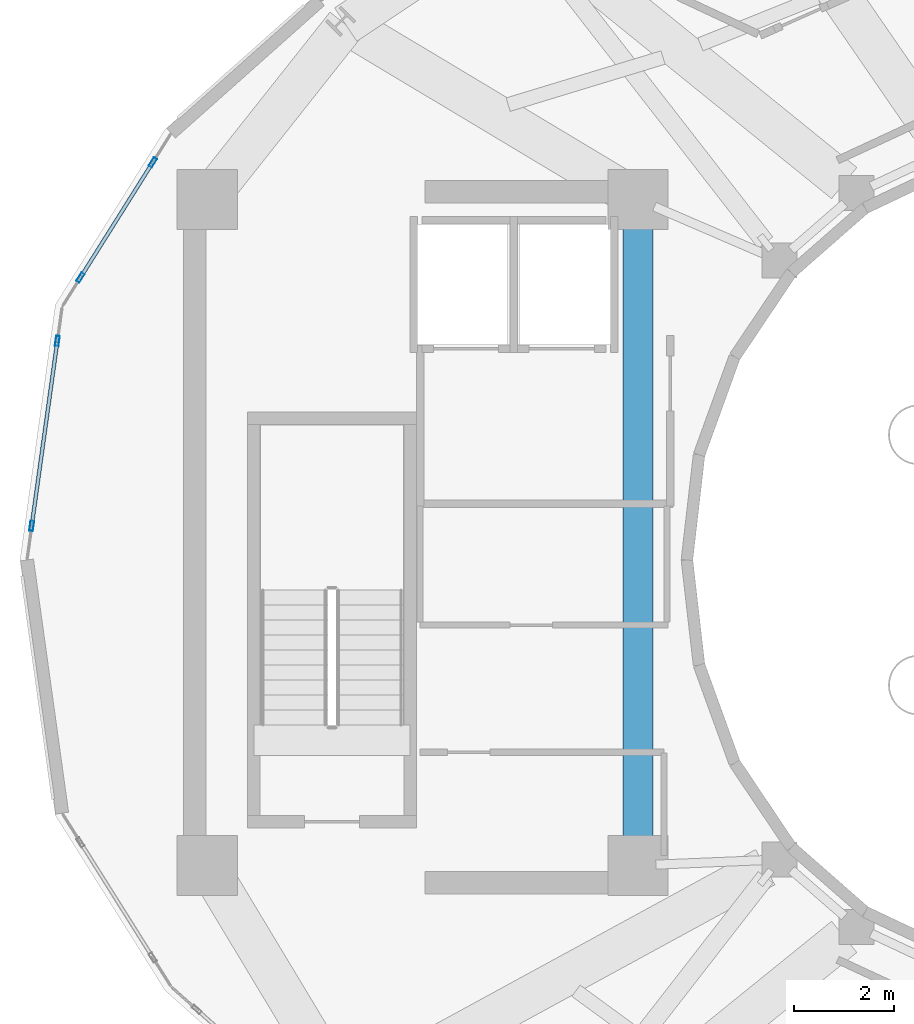
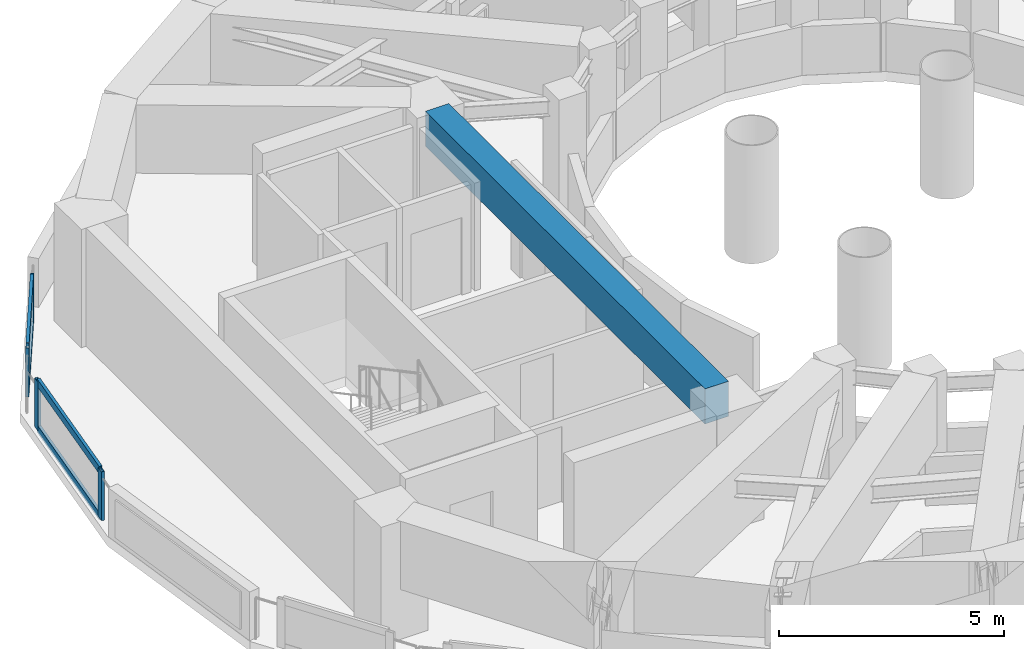
# One storey, part 6 of 17: 8 members, 1 beam, 2 elements without a shape of their own.
"""IFC4 building model written with IfcOpenShell, lengths in metres."""

import ifcopenshell
import ifcopenshell.guid

model = None  # the IFC model being written
_history = None  # IfcOwnerHistory: only IFC2X3 demands one
_inside = {}  # id of a spatial element -> (the spatial element, [elements in it])
_under = {}  # id of a project, library or spatial element -> (it, [spatial elements below it])
_declared = {}  # id of a project -> (the project, [libraries it declares])
_typed = {}  # id of a type object -> (the type object, [elements of that type])
_made_of = {}  # id of a material, layer set ... -> (it, [elements and type objects made of it])


def new_model(schema):
    """Start an empty IFC model of exactly this schema.

    Asked for "IFC4X3", IfcOpenShell would pick the latest addendum, in which some entities
    have other attributes; the version numbers below select the first issue.
    IFC2X3 requires an IfcOwnerHistory on every rooted entity: one is made here for all.
    """
    global model, _history
    if schema == "IFC4X3":
        model = ifcopenshell.file(schema_version=(4, 3, 0, 0))
    else:
        model = ifcopenshell.file(schema=schema)
    _inside.clear()
    _under.clear()
    _declared.clear()
    _typed.clear()
    _made_of.clear()
    _history = None
    if model.schema == "IFC2X3":
        org = make("IfcOrganization", Name="unknown")
        user = make(
            "IfcPersonAndOrganization",
            ThePerson=make("IfcPerson", FamilyName="unknown"),
            TheOrganization=org,
        )
        app = make(
            "IfcApplication",
            ApplicationDeveloper=org,
            Version="unknown",
            ApplicationFullName="unknown",
            ApplicationIdentifier="unknown",
        )
        _history = make(
            "IfcOwnerHistory",
            OwningUser=user,
            OwningApplication=app,
            ChangeAction="ADDED",
            CreationDate=0,
        )
    return model


def make(cls, **values):
    """One entity of the class cls with the attributes given. An attribute that is None is left unset."""
    return model.create_entity(
        cls, **{name: value for name, value in values.items() if value is not None}
    )


def rooted(cls, **values):
    """An entity with a GlobalId (a new one), such as an element, a storey or a relation."""
    return make(cls, GlobalId=ifcopenshell.guid.new(), OwnerHistory=_history, **values)


def si_unit(unit_type, name, prefix=None):
    """IfcSIUnit, for example si_unit("LENGTHUNIT", "METRE", prefix="MILLI")."""
    return make("IfcSIUnit", UnitType=unit_type, Prefix=prefix, Name=name)


def assignment(units):
    """IfcUnitAssignment: the units of a project."""
    return None if units is None else make("IfcUnitAssignment", Units=units)


def point(xyz):
    """IfcCartesianPoint."""
    return None if xyz is None else make("IfcCartesianPoint", Coordinates=xyz)


def direction(xyz):
    """IfcDirection."""
    return None if xyz is None else make("IfcDirection", DirectionRatios=xyz)


def frame(location, z_axis=None, x_axis=None):
    """IfcAxis2Placement3D, a coordinate frame: its origin and axes. An axis left out is left unset."""
    return make(
        "IfcAxis2Placement3D",
        Location=point(location),
        Axis=direction(z_axis),
        RefDirection=direction(x_axis),
    )


def frame_2d(location, x_axis=None):
    """IfcAxis2Placement2D, a coordinate frame in the plane: its origin and x axis."""
    return make(
        "IfcAxis2Placement2D", Location=point(location), RefDirection=direction(x_axis)
    )


def origin():
    """The frame at (0, 0, 0) with its axes left unset."""
    return frame((0.0, 0.0, 0.0))


def origin_2d():
    """The frame at (0, 0) in the plane with its x axis left unset."""
    return frame_2d((0.0, 0.0))


def place(relative_to, where):
    """IfcLocalPlacement: puts the frame where relative to a parent placement (None: the world)."""
    return make(
        "IfcLocalPlacement", PlacementRelTo=relative_to, RelativePlacement=where
    )


def context(
    kind, dimensions, precision=None, world=None, true_north=None, identifier=None
):
    """IfcGeometricRepresentationContext, for example the 3D "Model" context."""
    return make(
        "IfcGeometricRepresentationContext",
        ContextIdentifier=identifier,
        ContextType=kind,
        CoordinateSpaceDimension=dimensions,
        Precision=precision,
        WorldCoordinateSystem=world,
        TrueNorth=true_north,
    )


def subcontext(parent, identifier, kind, view, scale=None):
    """IfcGeometricRepresentationSubContext, for example "Body" below "Model"."""
    return make(
        "IfcGeometricRepresentationSubContext",
        ContextIdentifier=identifier,
        ContextType=kind,
        ParentContext=parent,
        TargetScale=scale,
        TargetView=view,
    )


def project(units=None, contexts=None):
    """IfcProject with its units and contexts."""
    return rooted(
        "IfcProject",
        Name="project",
        RepresentationContexts=contexts,
        UnitsInContext=assignment(units),
    )


def spatial(cls, under=None, at=None, **own):
    """A site, building, storey or space (cls), placed at a placement, below another one or the project."""
    s = rooted(cls, ObjectPlacement=at, **own)
    if under is not None:
        _under.setdefault(under.id(), (under, []))[1].append(s)
    return s


def profile(cls, at=None, kind="AREA", **sizes):
    """A parametric profile (cls). Its sizes go by their IFC names, for example OverallWidth=200.0."""
    return make(cls, ProfileType=kind, Position=at, **sizes)


def rectangle(**sizes):
    """IfcRectangleProfileDef."""
    return profile("IfcRectangleProfileDef", **sizes)


def hollow_rectangle(**sizes):
    """IfcRectangleHollowProfileDef."""
    return profile("IfcRectangleHollowProfileDef", **sizes)


def extrude(swept, where, along, depth):
    """IfcExtrudedAreaSolid: the profile swept, set in the frame where, extruded along a direction by depth."""
    return make(
        "IfcExtrudedAreaSolid",
        SweptArea=swept,
        Position=where,
        ExtrudedDirection=direction(along),
        Depth=depth,
    )


def shape(context_of_items, identifier, shape_type, items):
    """IfcShapeRepresentation: the items that make up one representation, for example the "Body"."""
    return make(
        "IfcShapeRepresentation",
        ContextOfItems=context_of_items,
        RepresentationIdentifier=identifier,
        RepresentationType=shape_type,
        Items=items,
    )


def material(Name=None, Category=None):
    """IfcMaterial."""
    return make("IfcMaterial", Name=Name, Category=Category)


def layer(
    of_material, thickness, ventilated=None, Name=None, Category=None, Priority=None
):
    """IfcMaterialLayer: one layer of a wall or slab, of a material (None: an air gap)."""
    return make(
        "IfcMaterialLayer",
        Material=of_material,
        LayerThickness=thickness,
        IsVentilated=ventilated,
        Name=Name,
        Category=Category,
        Priority=Priority,
    )


def layer_set(layers, Name=None):
    """IfcMaterialLayerSet."""
    return make("IfcMaterialLayerSet", MaterialLayers=layers, LayerSetName=Name)


def material_profile(
    of_material, cross_section, Name=None, Category=None, Priority=None
):
    """IfcMaterialProfile: a cross section and its material."""
    return make(
        "IfcMaterialProfile",
        Name=Name,
        Material=of_material,
        Profile=cross_section,
        Priority=Priority,
        Category=Category,
    )


def profile_set(profiles, Name=None, composite=None):
    """IfcMaterialProfileSet."""
    return make(
        "IfcMaterialProfileSet",
        Name=Name,
        MaterialProfiles=profiles,
        CompositeProfile=composite,
    )


def made_of(thing, what):
    """Note that an element or type object is made of a material, layer set ...; save() writes the relation."""
    if what is not None:
        _made_of.setdefault(what.id(), (what, []))[1].append(thing)
    return thing


def type_object(cls, material=None, **own):
    """A type object (cls), such as IfcWallType, which elements share."""
    return made_of(rooted(cls, **own), material)


def element(
    cls,
    number,
    at=None,
    inside=None,
    cuts=None,
    type_object=None,
    material=None,
    context=None,
    identifier="Body",
    shape_type=None,
    held_by="IfcProductDefinitionShape",
    body=None,
    shapes=None,
    **own,
):
    """One element of the class cls, such as IfcWall. Its Tag is "e" and its number.

    at: its placement. inside: the storey or other place that contains it. cuts: it is an
    opening in that element (IfcRelVoidsElement). A single representation is given by context,
    identifier, shape_type and body (its items); several are given by shapes. held_by: the class
    of the entity that holds the representations. save() writes the other relations.
    """
    e = rooted(cls, Tag="e%d" % number, ObjectPlacement=at, **own)
    if body is not None:
        shapes = [shape(context, identifier, shape_type, body)]
    if shapes is not None:
        e.Representation = make(held_by, Representations=shapes)
    if inside is not None:
        _inside.setdefault(inside.id(), (inside, []))[1].append(e)
    if cuts is not None:
        rooted(
            "IfcRelVoidsElement", RelatingBuildingElement=cuts, RelatedOpeningElement=e
        )
    if type_object is not None:
        _typed.setdefault(type_object.id(), (type_object, []))[1].append(e)
    return made_of(e, material)


def aggregate(whole, parts):
    """IfcRelAggregates: a whole, such as a stair, and the parts it consists of."""
    return rooted("IfcRelAggregates", RelatingObject=whole, RelatedObjects=parts)


def save(model, path):
    """Write the relations noted so far, then the file.

    IfcRelAggregates (storeys below a building ...), IfcRelContainedInSpatialStructure (elements
    in a storey), IfcRelDefinesByType, IfcRelAssociatesMaterial and IfcRelDeclares: one each for
    every whole, place, type object, material and project.
    """
    for whole, parts in _under.values():
        aggregate(whole, parts)
    for where, things in _inside.values():
        rooted(
            "IfcRelContainedInSpatialStructure",
            RelatedElements=things,
            RelatingStructure=where,
        )
    for kind, things in _typed.values():
        rooted("IfcRelDefinesByType", RelatedObjects=things, RelatingType=kind)
    for what, things in _made_of.values():
        rooted("IfcRelAssociatesMaterial", RelatedObjects=things, RelatingMaterial=what)
    for by, libraries in _declared.values():
        rooted("IfcRelDeclares", RelatingContext=by, RelatedDefinitions=libraries)
    model.write(path)


model = new_model("IFC4")

# Units and contexts
model_context = context("Model", 3, precision=1e-05, world=origin(), true_north=direction((0.0, 1.0)))
body_context = subcontext(model_context, "Body", "Model", "MODEL_VIEW")
ifc_project = project(units=[si_unit("LENGTHUNIT", "METRE"), si_unit("AREAUNIT", "SQUARE_METRE"), si_unit("VOLUMEUNIT", "CUBIC_METRE"), si_unit("PLANEANGLEUNIT", "RADIAN"), si_unit("MASSUNIT", "GRAM", prefix="KILO")], contexts=[model_context])

# Site, building, storey
site_placement = place(None, origin())
site = spatial("IfcSite", under=ifc_project, at=site_placement, CompositionType="ELEMENT")
building_placement = place(site_placement, origin())
building = spatial("IfcBuilding", under=site, at=building_placement, Name="Solvane Sanctuary Tower", CompositionType="ELEMENT")
storey_placement = place(building_placement, frame((0.0, 0.0, 273.199951171875)))
storey = spatial("IfcBuildingStorey", under=building, at=storey_placement, Name="L83", CompositionType="ELEMENT", Elevation=273.199951171875)

# Beam
ifc_material_1 = material(Name="Concrete C70/85", Category="concrete")
ifc_material_profile_1 = material_profile(ifc_material_1, rectangle(XDim=0.60009765625, YDim=0.949951171875, at=origin_2d()), Name="RC600X950")
ifc_profile_set_1 = profile_set([ifc_material_profile_1], Name="Concrete C70/85")
beam_type = type_object("IfcBeamType", Name="Beam B-COUPLE RC600X950", PredefinedType="LINTEL", material=ifc_profile_set_1)
beam_placement = place(storey_placement, frame((23.89990234375, 17.35009765625, 2.72509765625), z_axis=(0.0, 1.0, 0.0), x_axis=(-1.0, 0.0, 0.0)))
element("IfcBeam", 1, at=beam_placement, inside=storey, type_object=beam_type, Name="L83 West Core Coupling Lintel", PredefinedType="LINTEL", context=body_context, shape_type="SweptSolid", body=[
    extrude(rectangle(XDim=0.60009765625, YDim=0.949951171875, at=origin_2d()), origin(), (0.0, 0.0, 1.0), 12.39990234375),
])

# Curtain wall, members
ifc_material_2 = material(Name="Anodised Aluminium 6063-T6", Category="aluminium")
ifc_layer = layer(ifc_material_2, 0.219970703125, Name="Anodised Aluminium 6063-T6")
ifc_layer_set = layer_set([ifc_layer], Name="Anodised Aluminium 6063-T6")
curtain_wall_type = type_object("IfcCurtainWallType", Name="Curtain Wall CW-CROWN", PredefinedType="NOTDEFINED", material=ifc_layer_set)
curtain_wall_1_placement = place(storey_placement, origin())
curtain_wall_1 = element("IfcCurtainWall", 2, at=curtain_wall_1_placement, inside=storey, type_object=curtain_wall_type, Name="L83 Crown Fritted Lantern Curtain Wall 10", PredefinedType="NOTDEFINED")
ifc_material_profile_2 = material_profile(ifc_material_2, hollow_rectangle(XDim=0.074951171875, YDim=0.199951171875, WallThickness=0.00390625, at=origin_2d()), Name="ALU200X75X4")
ifc_profile_set_2 = profile_set([ifc_material_profile_2], Name="Anodised Aluminium 6063-T6")
member_type_1 = type_object("IfcMemberType", Name="Member M-CW-MUL-1 ALU200X75X4", PredefinedType="MULLION", material=ifc_profile_set_2)
member_1_placement = place(storey_placement, frame((14.21240234375, 30.940673828125, 0.0), z_axis=(0.0, 0.0, 1.0), x_axis=(0.846857735154, -0.53181949608, 0.0)))
member_1 = element("IfcMember", 3, at=member_1_placement, type_object=member_type_1, Name="CW-CROWN mullion 1", PredefinedType="MULLION", context=body_context, shape_type="SweptSolid", body=[
    extrude(hollow_rectangle(XDim=0.074951171875, YDim=0.199951171875, WallThickness=0.00390625, at=origin_2d()), origin(), (0.0, 0.0, 1.0), 1.320068359375),
])
member_2_placement = place(storey_placement, frame((12.76708984375, 28.63916015625, 0.0), z_axis=(0.0, 0.0, 1.0), x_axis=(0.846857735154, -0.53181949608, 0.0)))
member_2 = element("IfcMember", 4, at=member_2_placement, type_object=member_type_1, Name="CW-CROWN mullion 2", PredefinedType="MULLION", context=body_context, shape_type="SweptSolid", body=[
    extrude(hollow_rectangle(XDim=0.074951171875, YDim=0.199951171875, WallThickness=0.00390625, at=origin_2d()), origin(), (0.0, 0.0, 1.0), 1.320068359375),
])

curtain_wall_2_placement = place(storey_placement, origin())
curtain_wall_2 = element("IfcCurtainWall", 5, at=curtain_wall_2_placement, inside=storey, type_object=curtain_wall_type, Name="L83 Crown Fritted Lantern Curtain Wall 11", PredefinedType="NOTDEFINED")
member_3_placement = place(storey_placement, frame((12.306884765625, 27.3759765625, 0.0), z_axis=(0.0, 0.0, 1.0), x_axis=(0.990518314468, -0.137380743565, 0.0)))
member_3 = element("IfcMember", 6, at=member_3_placement, type_object=member_type_1, Name="CW-CROWN mullion 1", PredefinedType="MULLION", context=body_context, shape_type="SweptSolid", body=[
    extrude(hollow_rectangle(XDim=0.074951171875, YDim=0.199951171875, WallThickness=0.00390625, at=origin_2d()), origin(), (0.0, 0.0, 1.0), 1.320068359375),
])
member_4_placement = place(storey_placement, frame((11.79443359375, 23.680908203125, 0.0), z_axis=(0.0, 0.0, 1.0), x_axis=(0.990518314468, -0.137380743565, 0.0)))
member_4 = element("IfcMember", 7, at=member_4_placement, type_object=member_type_1, Name="CW-CROWN mullion 2", PredefinedType="MULLION", context=body_context, shape_type="SweptSolid", body=[
    extrude(hollow_rectangle(XDim=0.074951171875, YDim=0.199951171875, WallThickness=0.00390625, at=origin_2d()), origin(), (0.0, 0.0, 1.0), 1.320068359375),
])

# Member
ifc_material_profile_3 = material_profile(ifc_material_2, hollow_rectangle(XDim=0.074951171875, YDim=0.199951171875, WallThickness=0.00390625, at=origin_2d()), Name="ALU200X75X4")
ifc_profile_set_3 = profile_set([ifc_material_profile_3], Name="Anodised Aluminium 6063-T6")
member_type_2 = type_object("IfcMemberType", Name="Member M-CW-TRN-2 ALU200X75X4", PredefinedType="USERDEFINED", material=ifc_profile_set_3)
member_5_placement = place(storey_placement, frame((14.1923828125, 30.908935546875, 0.03759765625), z_axis=(-0.531832847295, -0.846849350557, 0.0), x_axis=(0.846849350557, -0.531832847295, 0.0)))
member_5 = element("IfcMember", 8, at=member_5_placement, type_object=member_type_2, Name="CW-CROWN transom 1.1", ObjectType="TRANSOM", PredefinedType="USERDEFINED", context=body_context, shape_type="SweptSolid", body=[
    extrude(hollow_rectangle(XDim=0.074951171875, YDim=0.199951171875, WallThickness=0.00390625, at=origin_2d()), origin(), (0.0, 0.0, 1.0), 2.642822265625),
])

member_6_placement = place(storey_placement, frame((14.1923828125, 30.908935546875, 1.282470703125), z_axis=(-0.531832847295, -0.846849350557, 0.0), x_axis=(0.846849350557, -0.531832847295, 0.0)))
member_6 = element("IfcMember", 9, at=member_6_placement, type_object=member_type_2, Name="CW-CROWN transom 1.2", ObjectType="TRANSOM", PredefinedType="USERDEFINED", context=body_context, shape_type="SweptSolid", body=[
    extrude(hollow_rectangle(XDim=0.074951171875, YDim=0.199951171875, WallThickness=0.00390625, at=origin_2d()), origin(), (0.0, 0.0, 1.0), 2.642822265625),
])

aggregate(curtain_wall_1, [member_1, member_2, member_5, member_6])

member_7_placement = place(storey_placement, frame((12.3017578125, 27.3388671875, 0.03759765625), z_axis=(-0.137380900022, -0.990518292769, 0.0), x_axis=(0.990518292769, -0.137380900022, 0.0)))
member_7 = element("IfcMember", 10, at=member_7_placement, type_object=member_type_2, Name="CW-CROWN transom 1.1", ObjectType="TRANSOM", PredefinedType="USERDEFINED", context=body_context, shape_type="SweptSolid", body=[
    extrude(hollow_rectangle(XDim=0.074951171875, YDim=0.199951171875, WallThickness=0.00390625, at=origin_2d()), origin(), (0.0, 0.0, 1.0), 3.655517578125),
])

member_8_placement = place(storey_placement, frame((12.3017578125, 27.3388671875, 1.282470703125), z_axis=(-0.137380900022, -0.990518292769, 0.0), x_axis=(0.990518292769, -0.137380900022, 0.0)))
member_8 = element("IfcMember", 11, at=member_8_placement, type_object=member_type_2, Name="CW-CROWN transom 1.2", ObjectType="TRANSOM", PredefinedType="USERDEFINED", context=body_context, shape_type="SweptSolid", body=[
    extrude(hollow_rectangle(XDim=0.074951171875, YDim=0.199951171875, WallThickness=0.00390625, at=origin_2d()), origin(), (0.0, 0.0, 1.0), 3.655517578125),
])

aggregate(curtain_wall_2, [member_3, member_4, member_7, member_8])

save(model, "model.ifc")
